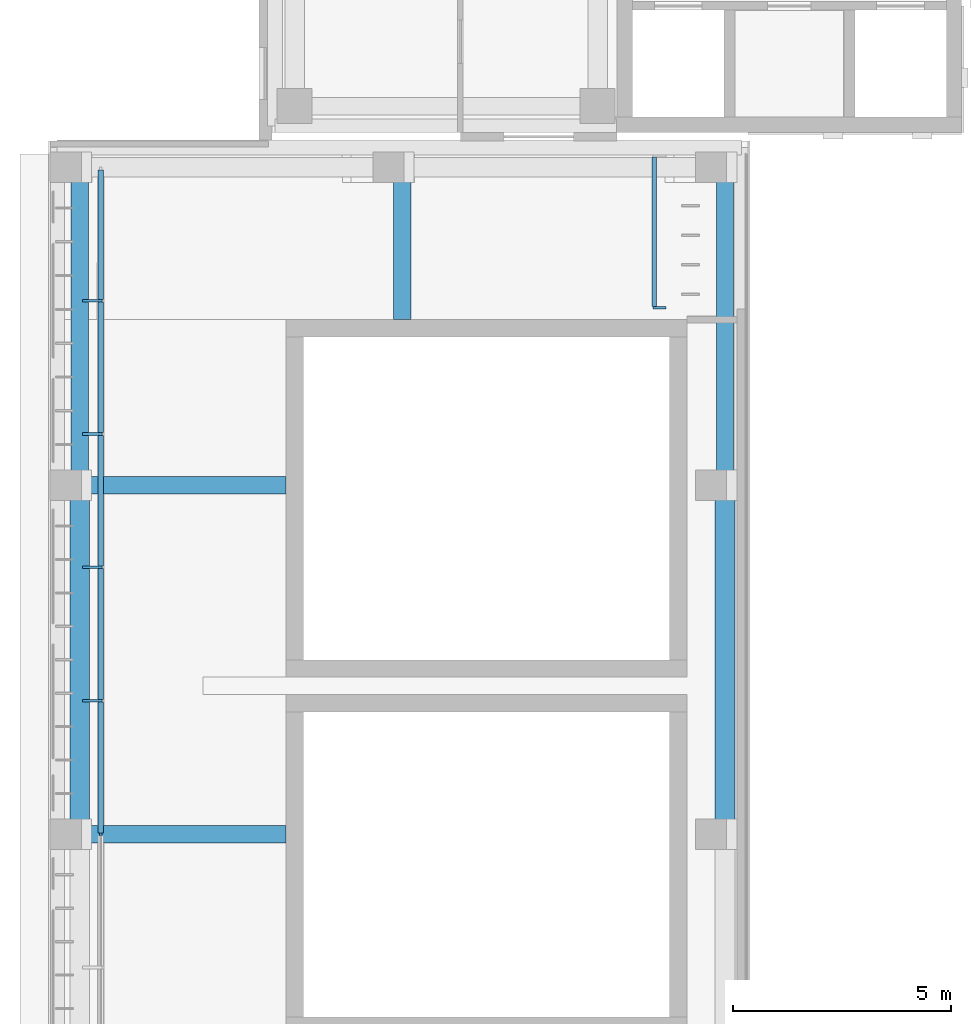
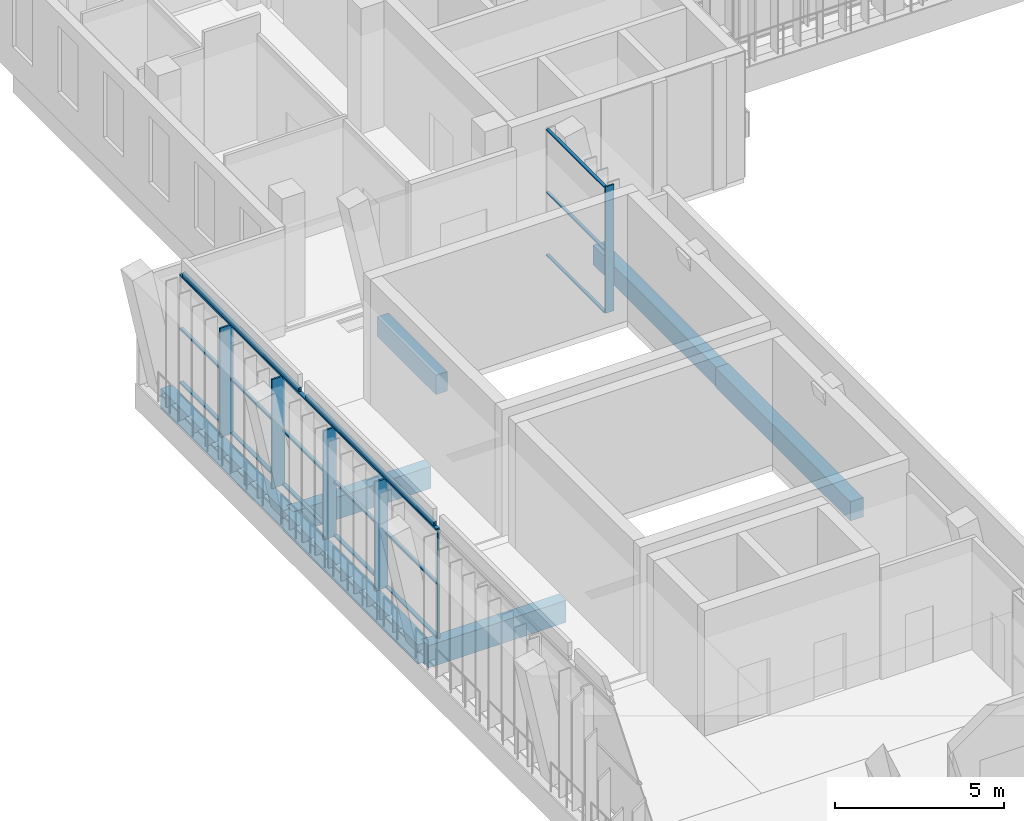
# One storey, part 15 of 73: 24 members, 9 beams, 2 elements without a shape of their own.
"""IFC4 building model written with IfcOpenShell, lengths in metres."""

from ifc_helpers import new_model, si_unit, direction, frame, origin, origin_2d, place, context, subcontext, project, spatial, rectangle, hollow_rectangle, extrude, material, material_profile, profile_set, type_object, element, aggregate, save


model = new_model("IFC4")

# Units and contexts
model_context = context("Model", 3, precision=1e-05, world=origin(), true_north=direction((0.0, 1.0)))
body_context = subcontext(model_context, "Body", "Model", "MODEL_VIEW")
ifc_project = project(units=[si_unit("LENGTHUNIT", "METRE"), si_unit("AREAUNIT", "SQUARE_METRE"), si_unit("VOLUMEUNIT", "CUBIC_METRE"), si_unit("PLANEANGLEUNIT", "RADIAN"), si_unit("MASSUNIT", "GRAM", prefix="KILO")], contexts=[model_context])

# Site, building, storey
site_placement = place(None, origin())
site = spatial("IfcSite", under=ifc_project, at=site_placement, CompositionType="ELEMENT")
building_placement = place(site_placement, origin())
building = spatial("IfcBuilding", under=site, at=building_placement, Name="Lantern Court Media Centre", CompositionType="ELEMENT")
storey_placement = place(building_placement, frame((0.0, 0.0, 24.0)))
storey = spatial("IfcBuildingStorey", under=building, at=storey_placement, Name="L05", CompositionType="ELEMENT", Elevation=24.0)

# Curtain wall, member
ifc_material_1 = material(Name="Curtain wall bay 2400")
curtain_wall_type_1 = type_object("IfcCurtainWallType", Name="Curtain wall bay 2400", PredefinedType="NOTDEFINED", material=ifc_material_1)
curtain_wall_1_placement = place(storey_placement, origin())
curtain_wall_1 = element("IfcCurtainWall", 1, at=curtain_wall_1_placement, inside=storey, type_object=curtain_wall_type_1, Name="Curtain wall W inner L05", PredefinedType="NOTDEFINED")
ifc_material_2 = material(Name="Anodised aluminium", Category="aluminium")
ifc_material_profile_1 = material_profile(ifc_material_2, rectangle(XDim=0.300048828125, YDim=0.050048828125, at=origin_2d()), Name="AL 50x300")
ifc_profile_set_1 = profile_set([ifc_material_profile_1], Name="Anodised aluminium")
member_type_1 = type_object("IfcMemberType", Name="Curtain wall mullion 50x300", PredefinedType="MULLION", material=ifc_profile_set_1)
member_1_placement = place(storey_placement, frame((16.969970703125, 92.074951171875, 0.0), z_axis=(0.0, 0.0, 1.0), x_axis=(-1.0, 0.0, 0.0)))
member_1 = element("IfcMember", 2, at=member_1_placement, type_object=member_type_1, Name="CW2 mullion 1", PredefinedType="MULLION", context=body_context, shape_type="SweptSolid", body=[
    extrude(rectangle(XDim=0.300048828125, YDim=0.050048828125, at=origin_2d()), origin(), (0.0, 0.0, 1.0), 4.580078125),
])

# Curtain wall, members
ifc_material_3 = material(Name="Curtain wall bay 3000")
curtain_wall_type_2 = type_object("IfcCurtainWallType", Name="Curtain wall bay 3000", PredefinedType="NOTDEFINED", material=ifc_material_3)
curtain_wall_2_placement = place(storey_placement, origin())
curtain_wall_2 = element("IfcCurtainWall", 3, at=curtain_wall_2_placement, inside=storey, type_object=curtain_wall_type_2, Name="Curtain wall W outer L05", PredefinedType="NOTDEFINED")
ifc_material_profile_2 = material_profile(ifc_material_2, rectangle(XDim=0.449951171875, YDim=0.06005859375, at=origin_2d()), Name="AL 60x450")
ifc_profile_set_2 = profile_set([ifc_material_profile_2], Name="Anodised aluminium")
member_type_2 = type_object("IfcMemberType", Name="Curtain wall mullion 60x450", PredefinedType="MULLION", material=ifc_profile_set_2)
member_2_placement = place(storey_placement, frame((3.955078125, 83.06005859375, 0.0), z_axis=(0.0, 0.0, 1.0), x_axis=(-1.0, 0.0, 0.0)))
member_2 = element("IfcMember", 4, at=member_2_placement, type_object=member_type_2, Name="CW1 mullion 7", PredefinedType="MULLION", context=body_context, shape_type="SweptSolid", body=[
    extrude(rectangle(XDim=0.449951171875, YDim=0.06005859375, at=origin_2d()), origin(), (0.0, 0.0, 1.0), 3.949951171875),
])
member_3_placement = place(storey_placement, frame((3.955078125, 86.1201171875, 0.0), z_axis=(0.0, 0.0, 1.0), x_axis=(-1.0, 0.0, 0.0)))
member_3 = element("IfcMember", 5, at=member_3_placement, type_object=member_type_2, Name="CW1 mullion 8", PredefinedType="MULLION", context=body_context, shape_type="SweptSolid", body=[
    extrude(rectangle(XDim=0.449951171875, YDim=0.06005859375, at=origin_2d()), origin(), (0.0, 0.0, 1.0), 3.949951171875),
])
member_4_placement = place(storey_placement, frame((3.955078125, 89.179931640625, 0.0), z_axis=(0.0, 0.0, 1.0), x_axis=(-1.0, 0.0, 0.0)))
member_4 = element("IfcMember", 6, at=member_4_placement, type_object=member_type_2, Name="CW1 mullion 9", PredefinedType="MULLION", context=body_context, shape_type="SweptSolid", body=[
    extrude(rectangle(XDim=0.449951171875, YDim=0.06005859375, at=origin_2d()), origin(), (0.0, 0.0, 1.0), 3.949951171875),
])
member_5_placement = place(storey_placement, frame((3.955078125, 92.239990234375, 0.0), z_axis=(0.0, 0.0, 1.0), x_axis=(-1.0, 0.0, 0.0)))
member_5 = element("IfcMember", 7, at=member_5_placement, type_object=member_type_2, Name="CW1 mullion 10", PredefinedType="MULLION", context=body_context, shape_type="SweptSolid", body=[
    extrude(rectangle(XDim=0.449951171875, YDim=0.06005859375, at=origin_2d()), origin(), (0.0, 0.0, 1.0), 3.949951171875),
])
ifc_material_profile_3 = material_profile(ifc_material_2, rectangle(XDim=0.06005859375, YDim=0.06005859375, at=origin_2d()), Name="AL 60x60")
ifc_profile_set_3 = profile_set([ifc_material_profile_3], Name="Anodised aluminium")
member_type_3 = type_object("IfcMemberType", Name="Curtain wall mullion 60x60", PredefinedType="MULLION", material=ifc_profile_set_3)
member_6_placement = place(storey_placement, frame((4.14990234375, 80.0, 0.0), z_axis=(0.0, 0.0, 1.0), x_axis=(-1.0, 0.0, 0.0)))
member_6 = element("IfcMember", 8, at=member_6_placement, type_object=member_type_3, Name="CW1 mullion 6", PredefinedType="MULLION", context=body_context, shape_type="SweptSolid", body=[
    extrude(rectangle(XDim=0.06005859375, YDim=0.06005859375, at=origin_2d()), origin(), (0.0, 0.0, 1.0), 3.949951171875),
])

# Member
ifc_material_profile_4 = material_profile(ifc_material_2, rectangle(XDim=0.10009765625, YDim=0.050048828125, at=origin_2d()), Name="AL 50x100")
ifc_profile_set_4 = profile_set([ifc_material_profile_4], Name="Anodised aluminium")
member_type_4 = type_object("IfcMemberType", Name="Curtain wall transom 100x50", PredefinedType="USERDEFINED", material=ifc_profile_set_4)
member_7_placement = place(storey_placement, frame((16.85009765625, 92.10009765625, 0.02490234375), z_axis=(0.0, 1.0, 0.0), x_axis=(-1.0, 0.0, 0.0)))
member_7 = element("IfcMember", 9, at=member_7_placement, type_object=member_type_4, Name="CW2 transom 1.1", ObjectType="TRANSOM", PredefinedType="USERDEFINED", context=body_context, shape_type="SweptSolid", body=[
    extrude(rectangle(XDim=0.10009765625, YDim=0.050048828125, at=origin_2d()), origin(), (0.0, 0.0, 1.0), 3.429931640625),
])

member_8_placement = place(storey_placement, frame((16.85009765625, 92.10009765625, 2.2900390625), z_axis=(0.0, 1.0, 0.0), x_axis=(-1.0, 0.0, 0.0)))
member_8 = element("IfcMember", 10, at=member_8_placement, type_object=member_type_4, Name="CW2 transom 1.2", ObjectType="TRANSOM", PredefinedType="USERDEFINED", context=body_context, shape_type="SweptSolid", body=[
    extrude(rectangle(XDim=0.10009765625, YDim=0.050048828125, at=origin_2d()), origin(), (0.0, 0.0, 1.0), 3.429931640625),
])

member_9_placement = place(storey_placement, frame((16.85009765625, 92.10009765625, 4.554931640625), z_axis=(0.0, 1.0, 0.0), x_axis=(-1.0, 0.0, 0.0)))
member_9 = element("IfcMember", 11, at=member_9_placement, type_object=member_type_4, Name="CW2 transom 1.3", ObjectType="TRANSOM", PredefinedType="USERDEFINED", context=body_context, shape_type="SweptSolid", body=[
    extrude(rectangle(XDim=0.10009765625, YDim=0.050048828125, at=origin_2d()), origin(), (0.0, 0.0, 1.0), 3.429931640625),
])

aggregate(curtain_wall_1, [member_1, member_7, member_8, member_9])

ifc_material_profile_5 = material_profile(ifc_material_2, rectangle(XDim=0.1201171875, YDim=0.06005859375, at=origin_2d()), Name="AL 60x120")
ifc_profile_set_5 = profile_set([ifc_material_profile_5], Name="Anodised aluminium")
member_type_5 = type_object("IfcMemberType", Name="Curtain wall transom 60x120", PredefinedType="USERDEFINED", material=ifc_profile_set_5)
member_10_placement = place(storey_placement, frame((4.14990234375, 80.030029296875, 0.030029296875), z_axis=(0.0, 1.0, 0.0), x_axis=(-1.0, 0.0, 0.0)))
member_10 = element("IfcMember", 12, at=member_10_placement, type_object=member_type_5, Name="CW1 transom 6.1", ObjectType="TRANSOM", PredefinedType="USERDEFINED", context=body_context, shape_type="SweptSolid", body=[
    extrude(rectangle(XDim=0.1201171875, YDim=0.06005859375, at=origin_2d()), origin(), (0.0, 0.0, 1.0), 3.0),
])

member_11_placement = place(storey_placement, frame((4.14990234375, 80.030029296875, 1.97509765625), z_axis=(0.0, 1.0, 0.0), x_axis=(-1.0, 0.0, 0.0)))
member_11 = element("IfcMember", 13, at=member_11_placement, type_object=member_type_5, Name="CW1 transom 6.2", ObjectType="TRANSOM", PredefinedType="USERDEFINED", context=body_context, shape_type="SweptSolid", body=[
    extrude(rectangle(XDim=0.1201171875, YDim=0.06005859375, at=origin_2d()), origin(), (0.0, 0.0, 1.0), 3.0),
])

member_12_placement = place(storey_placement, frame((4.14990234375, 80.030029296875, 3.919921875), z_axis=(0.0, 1.0, 0.0), x_axis=(-1.0, 0.0, 0.0)))
member_12 = element("IfcMember", 14, at=member_12_placement, type_object=member_type_5, Name="CW1 transom 6.3", ObjectType="TRANSOM", PredefinedType="USERDEFINED", context=body_context, shape_type="SweptSolid", body=[
    extrude(rectangle(XDim=0.1201171875, YDim=0.06005859375, at=origin_2d()), origin(), (0.0, 0.0, 1.0), 3.0),
])

member_13_placement = place(storey_placement, frame((4.14990234375, 83.090087890625, 0.030029296875), z_axis=(0.0, 1.0, 0.0), x_axis=(-1.0, 0.0, 0.0)))
member_13 = element("IfcMember", 15, at=member_13_placement, type_object=member_type_5, Name="CW1 transom 7.1", ObjectType="TRANSOM", PredefinedType="USERDEFINED", context=body_context, shape_type="SweptSolid", body=[
    extrude(rectangle(XDim=0.1201171875, YDim=0.06005859375, at=origin_2d()), origin(), (0.0, 0.0, 1.0), 3.0),
])

member_14_placement = place(storey_placement, frame((4.14990234375, 83.090087890625, 1.97509765625), z_axis=(0.0, 1.0, 0.0), x_axis=(-1.0, 0.0, 0.0)))
member_14 = element("IfcMember", 16, at=member_14_placement, type_object=member_type_5, Name="CW1 transom 7.2", ObjectType="TRANSOM", PredefinedType="USERDEFINED", context=body_context, shape_type="SweptSolid", body=[
    extrude(rectangle(XDim=0.1201171875, YDim=0.06005859375, at=origin_2d()), origin(), (0.0, 0.0, 1.0), 3.0),
])

member_15_placement = place(storey_placement, frame((4.14990234375, 83.090087890625, 3.919921875), z_axis=(0.0, 1.0, 0.0), x_axis=(-1.0, 0.0, 0.0)))
member_15 = element("IfcMember", 17, at=member_15_placement, type_object=member_type_5, Name="CW1 transom 7.3", ObjectType="TRANSOM", PredefinedType="USERDEFINED", context=body_context, shape_type="SweptSolid", body=[
    extrude(rectangle(XDim=0.1201171875, YDim=0.06005859375, at=origin_2d()), origin(), (0.0, 0.0, 1.0), 3.0),
])

member_16_placement = place(storey_placement, frame((4.14990234375, 86.14990234375, 0.030029296875), z_axis=(0.0, 1.0, 0.0), x_axis=(-1.0, 0.0, 0.0)))
member_16 = element("IfcMember", 18, at=member_16_placement, type_object=member_type_5, Name="CW1 transom 8.1", ObjectType="TRANSOM", PredefinedType="USERDEFINED", context=body_context, shape_type="SweptSolid", body=[
    extrude(rectangle(XDim=0.1201171875, YDim=0.06005859375, at=origin_2d()), origin(), (0.0, 0.0, 1.0), 3.0),
])

member_17_placement = place(storey_placement, frame((4.14990234375, 86.14990234375, 1.97509765625), z_axis=(0.0, 1.0, 0.0), x_axis=(-1.0, 0.0, 0.0)))
member_17 = element("IfcMember", 19, at=member_17_placement, type_object=member_type_5, Name="CW1 transom 8.2", ObjectType="TRANSOM", PredefinedType="USERDEFINED", context=body_context, shape_type="SweptSolid", body=[
    extrude(rectangle(XDim=0.1201171875, YDim=0.06005859375, at=origin_2d()), origin(), (0.0, 0.0, 1.0), 3.0),
])

member_18_placement = place(storey_placement, frame((4.14990234375, 86.14990234375, 3.919921875), z_axis=(0.0, 1.0, 0.0), x_axis=(-1.0, 0.0, 0.0)))
member_18 = element("IfcMember", 20, at=member_18_placement, type_object=member_type_5, Name="CW1 transom 8.3", ObjectType="TRANSOM", PredefinedType="USERDEFINED", context=body_context, shape_type="SweptSolid", body=[
    extrude(rectangle(XDim=0.1201171875, YDim=0.06005859375, at=origin_2d()), origin(), (0.0, 0.0, 1.0), 3.0),
])

member_19_placement = place(storey_placement, frame((4.14990234375, 89.2099609375, 0.030029296875), z_axis=(0.0, 1.0, 0.0), x_axis=(-1.0, 0.0, 0.0)))
member_19 = element("IfcMember", 21, at=member_19_placement, type_object=member_type_5, Name="CW1 transom 9.1", ObjectType="TRANSOM", PredefinedType="USERDEFINED", context=body_context, shape_type="SweptSolid", body=[
    extrude(rectangle(XDim=0.1201171875, YDim=0.06005859375, at=origin_2d()), origin(), (0.0, 0.0, 1.0), 3.0),
])

member_20_placement = place(storey_placement, frame((4.14990234375, 89.2099609375, 1.97509765625), z_axis=(0.0, 1.0, 0.0), x_axis=(-1.0, 0.0, 0.0)))
member_20 = element("IfcMember", 22, at=member_20_placement, type_object=member_type_5, Name="CW1 transom 9.2", ObjectType="TRANSOM", PredefinedType="USERDEFINED", context=body_context, shape_type="SweptSolid", body=[
    extrude(rectangle(XDim=0.1201171875, YDim=0.06005859375, at=origin_2d()), origin(), (0.0, 0.0, 1.0), 3.0),
])

member_21_placement = place(storey_placement, frame((4.14990234375, 89.2099609375, 3.919921875), z_axis=(0.0, 1.0, 0.0), x_axis=(-1.0, 0.0, 0.0)))
member_21 = element("IfcMember", 23, at=member_21_placement, type_object=member_type_5, Name="CW1 transom 9.3", ObjectType="TRANSOM", PredefinedType="USERDEFINED", context=body_context, shape_type="SweptSolid", body=[
    extrude(rectangle(XDim=0.1201171875, YDim=0.06005859375, at=origin_2d()), origin(), (0.0, 0.0, 1.0), 3.0),
])

member_22_placement = place(storey_placement, frame((4.14990234375, 92.27001953125, 0.030029296875), z_axis=(0.0, 1.0, 0.0), x_axis=(-1.0, 0.0, 0.0)))
member_22 = element("IfcMember", 24, at=member_22_placement, type_object=member_type_5, Name="CW1 transom 10.1", ObjectType="TRANSOM", PredefinedType="USERDEFINED", context=body_context, shape_type="SweptSolid", body=[
    extrude(rectangle(XDim=0.1201171875, YDim=0.06005859375, at=origin_2d()), origin(), (0.0, 0.0, 1.0), 2.969970703125),
])

member_23_placement = place(storey_placement, frame((4.14990234375, 92.27001953125, 1.97509765625), z_axis=(0.0, 1.0, 0.0), x_axis=(-1.0, 0.0, 0.0)))
member_23 = element("IfcMember", 25, at=member_23_placement, type_object=member_type_5, Name="CW1 transom 10.2", ObjectType="TRANSOM", PredefinedType="USERDEFINED", context=body_context, shape_type="SweptSolid", body=[
    extrude(rectangle(XDim=0.1201171875, YDim=0.06005859375, at=origin_2d()), origin(), (0.0, 0.0, 1.0), 2.969970703125),
])

member_24_placement = place(storey_placement, frame((4.14990234375, 92.27001953125, 3.919921875), z_axis=(0.0, 1.0, 0.0), x_axis=(-1.0, 0.0, 0.0)))
member_24 = element("IfcMember", 26, at=member_24_placement, type_object=member_type_5, Name="CW1 transom 10.3", ObjectType="TRANSOM", PredefinedType="USERDEFINED", context=body_context, shape_type="SweptSolid", body=[
    extrude(rectangle(XDim=0.1201171875, YDim=0.06005859375, at=origin_2d()), origin(), (0.0, 0.0, 1.0), 2.969970703125),
])

aggregate(curtain_wall_2, [member_6, member_2, member_3, member_4, member_5, member_10, member_11, member_12, member_13, member_14, member_15, member_16, member_17, member_18, member_19, member_20, member_21, member_22, member_23, member_24])

# Beams
ifc_material_4 = material(Name="Steel S355J2 (EN 10025-2)", Category="steel")
ifc_material_profile_6 = material_profile(ifc_material_4, hollow_rectangle(XDim=0.10009765625, YDim=0.14990234375, WallThickness=0.00634765625, InnerFilletRadius=0.00634765625, OuterFilletRadius=0.009521484375, at=origin_2d()), Name="Facade head lintel RHS 150x100x6.3")
ifc_profile_set_6 = profile_set([ifc_material_profile_6], Name="Steel S355J2 (EN 10025-2)")
beam_type_1 = type_object("IfcBeamType", Name="Facade head lintel RHS 150x100x6.3", PredefinedType="BEAM", material=ifc_profile_set_6)
beam_1_placement = place(storey_placement, frame((4.14990234375, 80.199951171875, 4.02490234375), z_axis=(0.0, 1.0, 0.0), x_axis=(-1.0, 0.0, 0.0)))
element("IfcBeam", 27, at=beam_1_placement, inside=storey, type_object=beam_type_1, Name="Facade head lintel W L05", PredefinedType="BEAM", context=body_context, shape_type="SweptSolid", body=[
    extrude(hollow_rectangle(XDim=0.10009765625, YDim=0.14990234375, WallThickness=0.00634765625, InnerFilletRadius=0.00634765625, OuterFilletRadius=0.009521484375, at=origin_2d()), origin(), (0.0, 0.0, 1.0), 7.60009765625),
])
beam_2_placement = place(storey_placement, frame((4.14990234375, 88.199951171875, 4.02490234375), z_axis=(0.0, 1.0, 0.0), x_axis=(-1.0, 0.0, 0.0)))
element("IfcBeam", 28, at=beam_2_placement, inside=storey, type_object=beam_type_1, Name="Facade head lintel W L05", PredefinedType="BEAM", context=body_context, shape_type="SweptSolid", body=[
    extrude(hollow_rectangle(XDim=0.10009765625, YDim=0.14990234375, WallThickness=0.00634765625, InnerFilletRadius=0.00634765625, OuterFilletRadius=0.009521484375, at=origin_2d()), origin(), (0.0, 0.0, 1.0), 6.900146484375),
])
ifc_material_5 = material(Name="Concrete C35", Category="concrete")
ifc_material_profile_7 = material_profile(ifc_material_5, rectangle(XDim=0.39990234375, YDim=0.699951171875, at=origin_2d()), Name="RC 400x700")
ifc_profile_set_7 = profile_set([ifc_material_profile_7], Name="Concrete C35")
beam_type_2 = type_object("IfcBeamType", Name="RC BEAM 400x700", PredefinedType="BEAM", material=ifc_profile_set_7)
beam_3_placement = place(storey_placement, frame((3.6728515625, 88.0, -0.35009765625), z_axis=(0.0, 1.0, 0.0), x_axis=(-1.0, 0.0, 0.0)))
element("IfcBeam", 29, at=beam_3_placement, inside=storey, type_object=beam_type_2, Name="LB-W-L05-0-3", PredefinedType="BEAM", context=body_context, shape_type="SweptSolid", body=[
    extrude(rectangle(XDim=0.39990234375, YDim=0.699951171875, at=origin_2d()), origin(), (0.0, 0.0, 1.0), 7.300048828125),
])
beam_4_placement = place(storey_placement, frame((11.072998046875, 91.800048828125, -0.35009765625), z_axis=(0.0, 1.0, 0.0), x_axis=(-1.0, 0.0, 0.0)))
element("IfcBeam", 30, at=beam_4_placement, inside=storey, type_object=beam_type_2, Name="LB-W-L05-1-01", PredefinedType="BEAM", context=body_context, shape_type="SweptSolid", body=[
    extrude(rectangle(XDim=0.39990234375, YDim=0.699951171875, at=origin_2d()), origin(), (0.0, 0.0, 1.0), 3.5),
])
beam_5_placement = place(storey_placement, frame((18.472900390625, 88.0, -0.35009765625), z_axis=(0.0, 1.0, 0.0), x_axis=(-1.0, 0.0, 0.0)))
element("IfcBeam", 31, at=beam_5_placement, inside=storey, type_object=beam_type_2, Name="LB-W-L05-2-3", PredefinedType="BEAM", context=body_context, shape_type="SweptSolid", body=[
    extrude(rectangle(XDim=0.39990234375, YDim=0.699951171875, at=origin_2d()), origin(), (0.0, 0.0, 1.0), 7.300048828125),
])
ifc_material_profile_8 = material_profile(ifc_material_5, rectangle(XDim=0.39990234375, YDim=0.800048828125, at=origin_2d()), Name="RC 400x800")
ifc_profile_set_8 = profile_set([ifc_material_profile_8], Name="Concrete C35")
beam_type_3 = type_object("IfcBeamType", Name="RC BEAM 400x800", PredefinedType="BEAM", material=ifc_profile_set_8)
for number, where, z_axis, x_axis, name in (
    (32, (3.683349609375, 80.0, -0.39990234375), (1.0, 0.0, 0.0), (0.0, 1.0, 0.0), "TB-W-L05-2-1"),
    (33, (3.683349609375, 88.0, -0.39990234375), (1.0, 0.0, 0.0), (0.0, 1.0, 0.0), "TB-W-L05-3-1"),
):
    element("IfcBeam", number, at=place(storey_placement, frame(where, z_axis=z_axis, x_axis=x_axis)), inside=storey, type_object=beam_type_3, Name=name, PredefinedType="BEAM", context=body_context, shape_type="SweptSolid", body=[
        extrude(rectangle(XDim=0.39990234375, YDim=0.800048828125, at=origin_2d()), origin(), (0.0, 0.0, 1.0), 4.716552734375),
    ])
ifc_material_profile_9 = material_profile(ifc_material_5, rectangle(XDim=0.449951171875, YDim=0.699951171875, at=origin_2d()), Name="RC 450x700")
ifc_profile_set_9 = profile_set([ifc_material_profile_9], Name="Concrete C35")
beam_type_4 = type_object("IfcBeamType", Name="RC BEAM 450x700", PredefinedType="BEAM", material=ifc_profile_set_9)
for number, where, z_axis, x_axis, name in (
    (34, (3.6728515625, 80.0, -0.35009765625), (0.0, 1.0, 0.0), (-1.0, 0.0, 0.0), "LB-W-L05-0-2"),
    (35, (18.472900390625, 80.0, -0.35009765625), (0.0, 1.0, 0.0), (-1.0, 0.0, 0.0), "LB-W-L05-2-2"),
):
    element("IfcBeam", number, at=place(storey_placement, frame(where, z_axis=z_axis, x_axis=x_axis)), inside=storey, type_object=beam_type_4, Name=name, PredefinedType="BEAM", context=body_context, shape_type="SweptSolid", body=[
        extrude(rectangle(XDim=0.449951171875, YDim=0.699951171875, at=origin_2d()), origin(), (0.0, 0.0, 1.0), 8.0),
    ])

save(model, "model.ifc")
